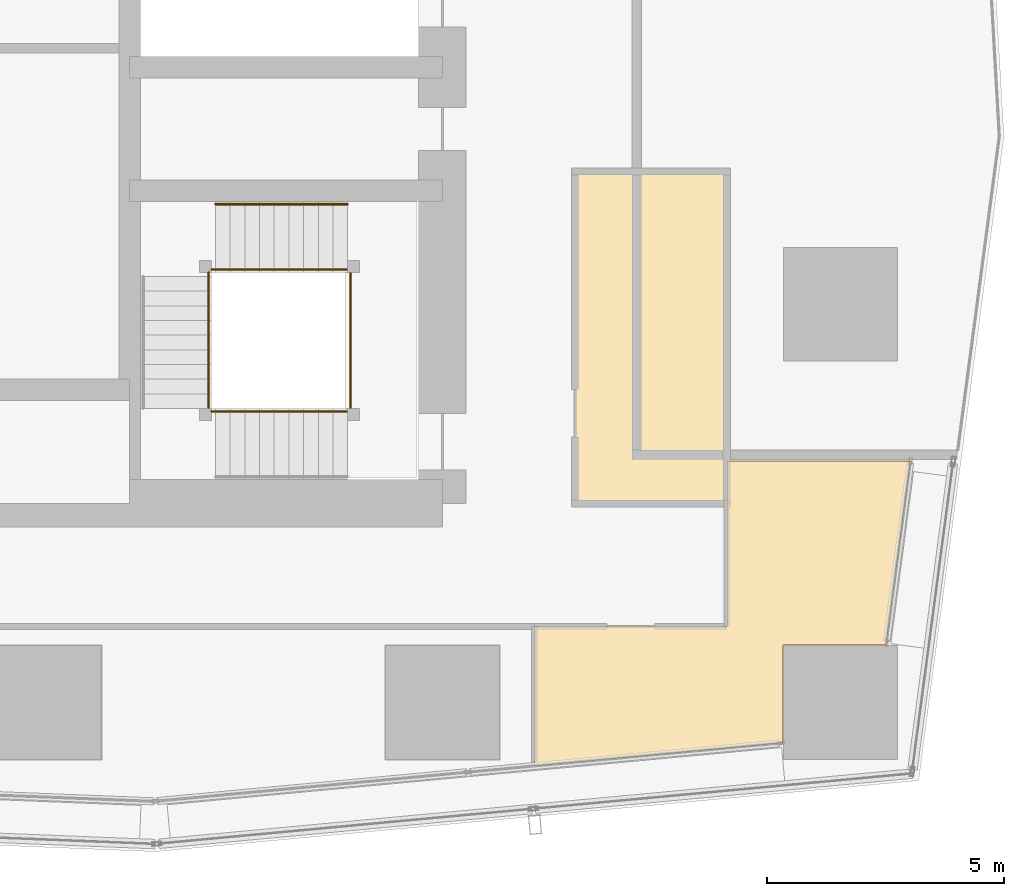
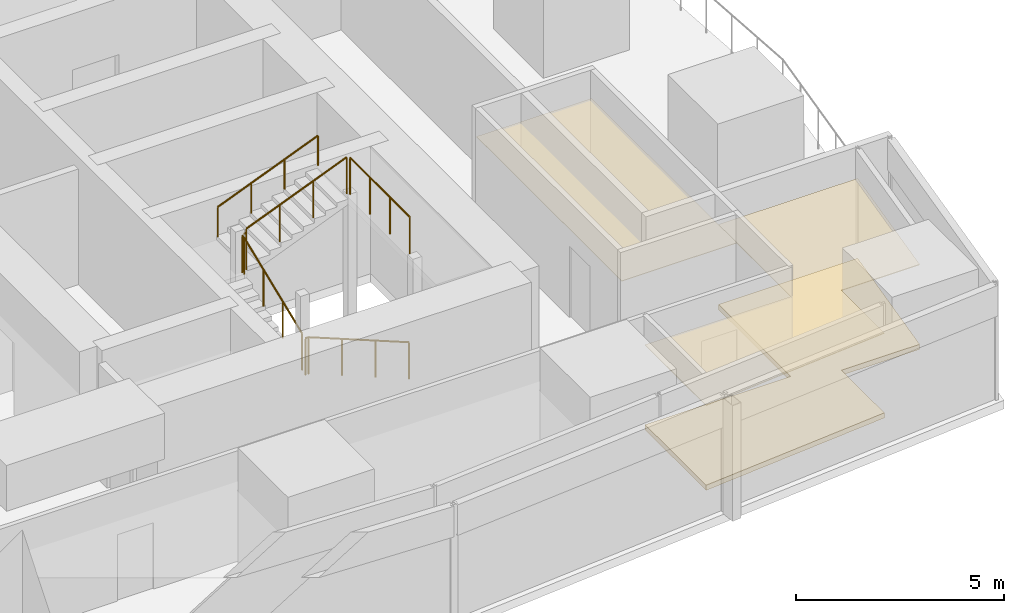
# One storey, part 32 of 34: 8 railings, 3 coverings.
"""IFC4 building model written with IfcOpenShell, lengths in metres."""

from ifc_helpers import new_model, si_unit, direction, frame, origin, origin_2d, place, context, subcontext, project, spatial, polyline, circle, outline, extrude, material, layer, layer_set, type_object, element, save


model = new_model("IFC4")

# Units and contexts
model_context = context("Model", 3, precision=1e-05, world=origin(), true_north=direction((0.0, 1.0)))
body_context = subcontext(model_context, "Body", "Model", "MODEL_VIEW")
ifc_project = project(units=[si_unit("LENGTHUNIT", "METRE"), si_unit("AREAUNIT", "SQUARE_METRE"), si_unit("VOLUMEUNIT", "CUBIC_METRE"), si_unit("PLANEANGLEUNIT", "RADIAN"), si_unit("MASSUNIT", "GRAM", prefix="KILO")], contexts=[model_context])

# Site, building, storey
site_placement = place(None, origin())
site = spatial("IfcSite", under=ifc_project, at=site_placement, CompositionType="ELEMENT")
building_placement = place(site_placement, origin())
building = spatial("IfcBuilding", under=site, at=building_placement, Name="Rekha Terrace Tower", CompositionType="ELEMENT")
storey_placement = place(building_placement, frame((0.0, 0.0, 236.449951171875)))
storey = spatial("IfcBuildingStorey", under=building, at=storey_placement, Name="L60", CompositionType="ELEMENT", Elevation=236.449951171875)

# Coverings
ifc_material_1 = material(Name="Mineral fibre tile in exposed grid", Category="finish")
ifc_layer_1 = layer(ifc_material_1, 0.02001953125)
ifc_layer_set_1 = layer_set([ifc_layer_1], Name="Mineral fibre tile in exposed grid")
covering_type_1 = type_object("IfcCoveringType", Name="CL1 600x1200 office grid ceiling", PredefinedType="CEILING", material=ifc_layer_set_1)
covering_1_placement = place(storey_placement, frame((0.0, 0.0, 2.47998046875)))
element("IfcCovering", 1, at=covering_1_placement, inside=storey, type_object=covering_type_1, Name="Ceiling L60-03", PredefinedType="CEILING", context=body_context, shape_type="SweptSolid", body=[
    extrude(outline(polyline([(59.760009765625, 18.014892578125), (60.27294921875, 21.889892578125), (56.39990234375, 21.889892578125), (56.39990234375, 18.39990234375), (52.345947265625, 18.39990234375), (52.345947265625, 15.4599609375), (57.5849609375, 15.947998046875), (57.5849609375, 18.014892578125), (59.760009765625, 18.014892578125)])), origin(), (0.0, 0.0, 1.0), 0.02001953125),
])
ifc_material_2 = material(Name="Fibre cement board", Category="finish")
ifc_layer_2 = layer(ifc_material_2, 0.014892578125)
ifc_layer_set_2 = layer_set([ifc_layer_2], Name="Fibre cement board")
covering_type_2 = type_object("IfcCoveringType", Name="CL2 moisture-resistant board ceiling", PredefinedType="CEILING", material=ifc_layer_set_2)
covering_2_placement = place(storey_placement, frame((0.0, 0.0, 2.485107421875)))
element("IfcCovering", 2, at=covering_2_placement, inside=storey, type_object=covering_type_2, Name="Ceiling L60-WCM2", PredefinedType="CEILING", context=body_context, shape_type="SweptSolid", body=[
    extrude(outline(polyline([(56.39990234375, 28.0), (53.199951171875, 28.0), (53.199951171875, 21.0), (56.39990234375, 21.0), (56.39990234375, 28.0)])), origin(), (0.0, 0.0, 1.0), 0.014892578125),
])

# Railings
ifc_material_3 = material(Name="Stainless steel balustrade", Category="steel")
railing_type_1 = type_object("IfcRailingType", Name="GR1 1100 stair guard", PredefinedType="GUARDRAIL", material=ifc_material_3)
railing_1_placement = place(storey_placement, frame((48.39990234375, 22.93994140625, 0.125)))
element("IfcRailing", 3, at=railing_1_placement, inside=storey, type_object=railing_type_1, Name="Guard ST3 L60 flight 1", PredefinedType="GUARDRAIL", context=body_context, shape_type="SweptSolid", body=[
    extrude(circle(Radius=0.02392578125, at=origin_2d()), frame((0.0, 0.0, 1.076171875), z_axis=(-0.927431937212, 0.0, 0.373991980981), x_axis=(0.0, -1.0, 0.0)), (0.0, 0.0, 1.0), 3.008056640625),
    extrude(circle(Radius=0.02099609375, at=origin_2d()), origin(), (0.0, 0.0, 1.0), 1.052001953125),
    extrude(circle(Radius=0.02099609375, at=origin_2d()), frame((-0.929931640625, 0.0, 0.375)), (0.0, 0.0, 1.0), 1.052001953125),
    extrude(circle(Radius=0.02099609375, at=origin_2d()), frame((-1.85986328125, 0.0, 0.75)), (0.0, 0.0, 1.0), 1.052001953125),
    extrude(circle(Radius=0.02099609375, at=origin_2d()), frame((-2.789794921875, 0.0, 1.125)), (0.0, 0.0, 1.0), 1.052001953125),
])
railing_2_placement = place(storey_placement, frame((45.465087890625, 23.0, 1.375)))
element("IfcRailing", 4, at=railing_2_placement, inside=storey, type_object=railing_type_1, Name="Guard ST3 L60 flight 2", PredefinedType="GUARDRAIL", context=body_context, shape_type="SweptSolid", body=[
    extrude(circle(Radius=0.02392578125, at=origin_2d()), frame((0.0, 0.0, 1.076171875), z_axis=(0.0, 0.927443287984, 0.373963831907), x_axis=(-1.0, 0.0, 0.0)), (0.0, 0.0, 1.0), 3.00830078125),
    extrude(circle(Radius=0.02099609375, at=origin_2d()), origin(), (0.0, 0.0, 1.0), 1.052001953125),
    extrude(circle(Radius=0.02099609375, at=origin_2d()), frame((0.0, 0.929931640625, 0.375)), (0.0, 0.0, 1.0), 1.052001953125),
    extrude(circle(Radius=0.02099609375, at=origin_2d()), frame((0.0, 1.860107421875, 0.75)), (0.0, 0.0, 1.0), 1.052001953125),
    extrude(circle(Radius=0.02099609375, at=origin_2d()), frame((0.0, 2.7900390625, 1.125)), (0.0, 0.0, 1.0), 1.052001953125),
])
railing_3_placement = place(storey_placement, frame((45.610107421875, 25.93505859375, 2.625)))
element("IfcRailing", 5, at=railing_3_placement, inside=storey, type_object=railing_type_1, Name="Guard ST3 L60 flight 3", PredefinedType="GUARDRAIL", context=body_context, shape_type="SweptSolid", body=[
    extrude(circle(Radius=0.02392578125, at=origin_2d()), frame((0.0, 0.0, 1.076171875), z_axis=(0.927431937212, 0.0, 0.373991980981), x_axis=(0.0, 1.0, 0.0)), (0.0, 0.0, 1.0), 3.008056640625),
    extrude(circle(Radius=0.02099609375, at=origin_2d()), origin(), (0.0, 0.0, 1.0), 1.052001953125),
    extrude(circle(Radius=0.02099609375, at=origin_2d()), frame((0.929931640625, 0.0, 0.375)), (0.0, 0.0, 1.0), 1.052001953125),
    extrude(circle(Radius=0.02099609375, at=origin_2d()), frame((1.85986328125, 0.0, 0.75)), (0.0, 0.0, 1.0), 1.052001953125),
    extrude(circle(Radius=0.02099609375, at=origin_2d()), frame((2.789794921875, 0.0, 1.125)), (0.0, 0.0, 1.0), 1.052001953125),
])
railing_4_placement = place(storey_placement, frame((45.610107421875, 22.93994140625, 1.25)))
element("IfcRailing", 6, at=railing_4_placement, inside=storey, type_object=railing_type_1, Name="Guard ST3 L60 landing 1", PredefinedType="GUARDRAIL", context=body_context, shape_type="SweptSolid", body=[
    extrude(circle(Radius=0.02392578125, at=origin_2d()), frame((0.0, 0.0, 1.076171875), z_axis=(-1.0, 0.0, 0.0), x_axis=(0.0, -1.0, 0.0)), (0.0, 0.0, 1.0), 0.085205078125),
    extrude(circle(Radius=0.02099609375, at=origin_2d()), origin(), (0.0, 0.0, 1.0), 1.052001953125),
    extrude(circle(Radius=0.02099609375, at=origin_2d()), frame((-0.085205078125, 0.0, 0.0)), (0.0, 0.0, 1.0), 1.052001953125),
])
railing_5_placement = place(storey_placement, frame((45.465087890625, 25.7900390625, 2.5)))
element("IfcRailing", 7, at=railing_5_placement, inside=storey, type_object=railing_type_1, Name="Guard ST3 L60 landing 2", PredefinedType="GUARDRAIL", context=body_context, shape_type="SweptSolid", body=[
    extrude(circle(Radius=0.02392578125, at=origin_2d()), frame((0.0, 0.0, 1.076171875), z_axis=(0.0, 1.0, 0.0), x_axis=(-1.0, 0.0, 0.0)), (0.0, 0.0, 1.0), 0.0849609375),
    extrude(circle(Radius=0.02099609375, at=origin_2d()), origin(), (0.0, 0.0, 1.0), 1.052001953125),
    extrude(circle(Radius=0.02099609375, at=origin_2d()), frame((0.0, 0.0849609375, 0.0)), (0.0, 0.0, 1.0), 1.052001953125),
])
railing_6_placement = place(storey_placement, frame((45.610107421875, 25.93505859375, 2.5)))
element("IfcRailing", 8, at=railing_6_placement, inside=storey, type_object=railing_type_1, Name="Guard ST3 L60 landing 3", PredefinedType="GUARDRAIL", context=body_context, shape_type="SweptSolid", body=[
    extrude(circle(Radius=0.02392578125, at=origin_2d()), frame((0.0, 0.0, 1.076171875), z_axis=(-1.0, 0.0, 0.0), x_axis=(0.0, -1.0, 0.0)), (0.0, 0.0, 1.0), 0.085205078125),
    extrude(circle(Radius=0.02099609375, at=origin_2d()), origin(), (0.0, 0.0, 1.0), 1.052001953125),
    extrude(circle(Radius=0.02099609375, at=origin_2d()), frame((-0.085205078125, 0.0, 0.0)), (0.0, 0.0, 1.0), 1.052001953125),
])
railing_7_placement = place(storey_placement, frame((48.4599609375, 23.0, 3.75)))
element("IfcRailing", 9, at=railing_7_placement, inside=storey, type_object=railing_type_1, Name="Guard ST3 L60 landing 4", PredefinedType="GUARDRAIL", context=body_context, shape_type="SweptSolid", body=[
    extrude(circle(Radius=0.02392578125, at=origin_2d()), frame((0.0, 0.0, 1.076171875), z_axis=(0.0, 1.0, 0.0), x_axis=(-1.0, 0.0, 0.0)), (0.0, 0.0, 1.0), 2.875),
    extrude(circle(Radius=0.02099609375, at=origin_2d()), origin(), (0.0, 0.0, 1.0), 1.052001953125),
    extrude(circle(Radius=0.02099609375, at=origin_2d()), frame((0.0, 0.958251953125, 0.0)), (0.0, 0.0, 1.0), 1.052001953125),
    extrude(circle(Radius=0.02099609375, at=origin_2d()), frame((0.0, 1.916748046875, 0.0)), (0.0, 0.0, 1.0), 1.052001953125),
    extrude(circle(Radius=0.02099609375, at=origin_2d()), frame((0.0, 2.875, 0.0)), (0.0, 0.0, 1.0), 1.052001953125),
])
ifc_material_4 = material(Name="Stainless steel tube", Category="steel")
railing_type_2 = type_object("IfcRailingType", Name="HR1 900 stair handrail", PredefinedType="HANDRAIL", material=ifc_material_4)
railing_8_placement = place(storey_placement, frame((45.610107421875, 27.31494140625, 2.625)))
element("IfcRailing", 10, at=railing_8_placement, inside=storey, type_object=railing_type_2, Name="Handrail ST3 L60 flight 3", PredefinedType="HANDRAIL", context=body_context, shape_type="SweptSolid", body=[
    extrude(circle(Radius=0.02392578125, at=origin_2d()), frame((0.0, 0.0, 0.8759765625), z_axis=(0.927431937212, 0.0, 0.373991980981), x_axis=(0.0, 1.0, 0.0)), (0.0, 0.0, 1.0), 3.008056640625),
    extrude(circle(Radius=0.02099609375, at=origin_2d()), origin(), (0.0, 0.0, 1.0), 0.851806640625),
    extrude(circle(Radius=0.02099609375, at=origin_2d()), frame((0.929931640625, 0.0, 0.375)), (0.0, 0.0, 1.0), 0.851806640625),
    extrude(circle(Radius=0.02099609375, at=origin_2d()), frame((1.85986328125, 0.0, 0.75)), (0.0, 0.0, 1.0), 0.851806640625),
    extrude(circle(Radius=0.02099609375, at=origin_2d()), frame((2.789794921875, 0.0, 1.125)), (0.0, 0.0, 1.0), 0.851806640625),
])

# Covering
ifc_material_5 = material(Name="Calcium sulphate panels on steel pedestals", Category="steel")
ifc_layer_3 = layer(ifc_material_5, 0.14990234375)
ifc_layer_set_3 = layer_set([ifc_layer_3], Name="Calcium sulphate panels on steel pedestals")
covering_type_3 = type_object("IfcCoveringType", Name="RF1 150 raised access floor", PredefinedType="FLOORING", material=ifc_layer_set_3)
covering_3_placement = place(storey_placement, origin())
element("IfcCovering", 11, at=covering_3_placement, inside=storey, type_object=covering_type_3, Name="Raised floor L60-03", PredefinedType="FLOORING", context=body_context, shape_type="SweptSolid", body=[
    extrude(outline(polyline([(59.760009765625, 18.014892578125), (60.27294921875, 21.889892578125), (56.39990234375, 21.889892578125), (56.39990234375, 18.39990234375), (52.345947265625, 18.39990234375), (52.345947265625, 15.4599609375), (57.5849609375, 15.947998046875), (57.5849609375, 18.014892578125), (59.760009765625, 18.014892578125)])), origin(), (0.0, 0.0, 1.0), 0.150146484375),
])

save(model, "model.ifc")
